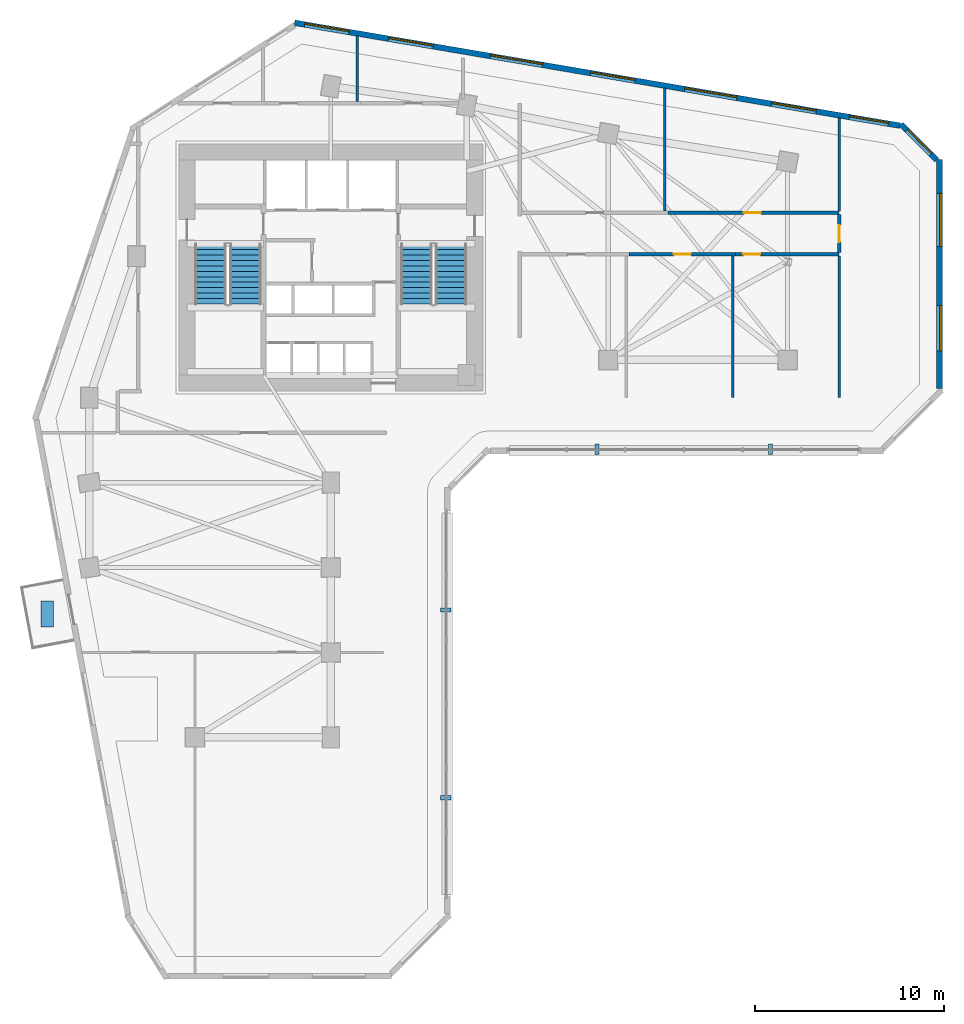
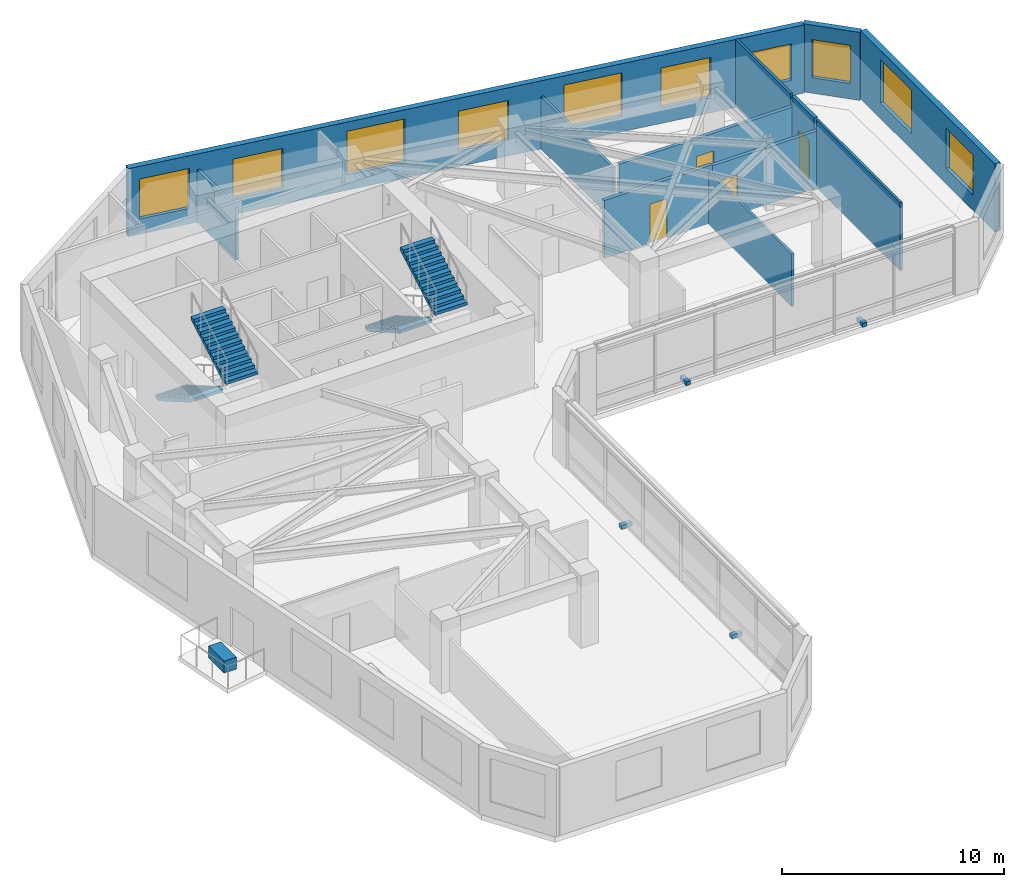
# One storey, part 7 of 9: 12 walls, 10 windows, 5 discrete accessories, 4 doors, 4 stair flights, 14 openings, 2 elements without a shape of their own.
"""IFC4 building model written with IfcOpenShell, lengths in metres."""

from ifc_helpers import new_model, si_unit, direction, frame, frame_2d, origin, origin_2d, place, context, subcontext, project, spatial, polyline, rectangle, outline, extrude, source, transform, mapped, material, layer, layer_set, type_object, element, fill, aggregate, save


model = new_model("IFC4")

# Units and contexts
model_context = context("Model", 3, precision=1e-05, world=origin(), true_north=direction((0.0, 1.0)))
body_context = subcontext(model_context, "Body", "Model", "MODEL_VIEW")
ifc_project = project(units=[si_unit("LENGTHUNIT", "METRE"), si_unit("AREAUNIT", "SQUARE_METRE"), si_unit("VOLUMEUNIT", "CUBIC_METRE"), si_unit("PLANEANGLEUNIT", "RADIAN"), si_unit("MASSUNIT", "GRAM", prefix="KILO")], contexts=[model_context])

# Site, building, storey
site_placement = place(None, origin())
site = spatial("IfcSite", under=ifc_project, at=site_placement, CompositionType="ELEMENT")
building_placement = place(site_placement, origin())
building = spatial("IfcBuilding", under=site, at=building_placement, Name="Calvemar Wedge Station Tower", CompositionType="ELEMENT")
storey_placement = place(building_placement, frame((0.0, 0.0, 63.0)))
storey = spatial("IfcBuildingStorey", under=building, at=storey_placement, Name="L15", CompositionType="ELEMENT", Elevation=63.0)

# Wall, opening, door
ifc_material_1 = material(Name="Double-stud fire-rated corridor partition")
ifc_layer_1 = layer(ifc_material_1, 0.179931640625)
ifc_layer_set_1 = layer_set([ifc_layer_1], Name="Double-stud fire-rated corridor partition")
wall_type_1 = type_object("IfcWallType", Name="W-CORR-180", PredefinedType="PARTITIONING", material=ifc_layer_set_1)
wall_1_placement = place(storey_placement, frame((45.25, 40.60009765625, 0.0), z_axis=(0.0, 0.0, 1.0), x_axis=(-1.0, 0.0, 0.0)))
wall_1 = element("IfcWall", 1, at=wall_1_placement, inside=storey, type_object=wall_type_1, Name="Storey L15 Interior Partition WL-L15-019", PredefinedType="PARTITIONING", context=body_context, shape_type="SweptSolid", body=[
    extrude(rectangle(XDim=5.64306640625, YDim=0.179931640625, at=frame_2d((2.821533203125, 0.0))), origin(), (0.0, 0.0, 1.0), 3.18798828125),
])
shared_shape_1 = source(origin(), body_context, "Body", "SweptSolid", [
    extrude(rectangle(XDim=0.89990234375, YDim=2.14990234375, at=frame_2d((0.449951171875, 1.074951171875))), frame((0.0, 0.10009765625, 0.0), z_axis=(0.0, -1.0, 0.0), x_axis=(1.0, 0.0, 0.0)), (0.0, 0.0, 1.0), 0.199951171875),
])
opening_1_placement = place(wall_1_placement, frame((2.37158203125, 0.0, 0.0)))
opening_1 = element("IfcOpeningElement", 2, at=opening_1_placement, cuts=wall_1, Name="Opening D-01", PredefinedType="OPENING", context=body_context, shape_type="MappedRepresentation", body=[
    mapped(shared_shape_1, transform((0.0, 0.0, 0.0), scale=1.0)),
])
ifc_material_2 = material(Name="Architectural hardwood acoustic swing door", Category="wood")
door_type = type_object("IfcDoorType", Name="DR-INT-900", OperationType="NOTDEFINED", PredefinedType="DOOR", material=ifc_material_2)
shared_shape_2 = source(origin(), body_context, "Body", "SweptSolid", [
    extrude(rectangle(XDim=0.89990234375, YDim=2.14990234375, at=frame_2d((0.449951171875, 1.074951171875))), frame((0.0, 0.02490234375, 0.0), z_axis=(0.0, -1.0, 0.0), x_axis=(1.0, 0.0, 0.0)), (0.0, 0.0, 1.0), 0.050048828125),
])
door_1_placement = place(opening_1_placement, origin())
door_1 = element("IfcDoor", 3, at=door_1_placement, inside=storey, type_object=door_type, Name="L15 Co-Working Studio Door", OperationType="SINGLE_SWING_LEFT", OverallHeight=2.14990234375, OverallWidth=0.89990234375, PredefinedType="DOOR", context=body_context, shape_type="MappedRepresentation", body=[
    mapped(shared_shape_2, transform((0.0, 0.0, 0.0), scale=1.0)),
])
fill(opening_1, door_1)

wall_2_placement = place(storey_placement, frame((50.735107421875, 40.60009765625, 0.0), z_axis=(0.0, 0.0, 1.0), x_axis=(-1.0, 0.0, 0.0)))
wall_2 = element("IfcWall", 4, at=wall_2_placement, inside=storey, type_object=wall_type_1, Name="Storey L15 Interior Partition WL-L15-020", PredefinedType="PARTITIONING", context=body_context, shape_type="SweptSolid", body=[
    extrude(rectangle(XDim=5.483154296875, YDim=0.179931640625, at=frame_2d((2.74169921875, 0.0))), origin(), (0.0, 0.0, 1.0), 3.125),
])
opening_2_placement = place(wall_2_placement, frame((4.18115234375, 0.0, 0.0)))
opening_2 = element("IfcOpeningElement", 5, at=opening_2_placement, cuts=wall_2, Name="Opening D-01", PredefinedType="OPENING", context=body_context, shape_type="MappedRepresentation", body=[
    mapped(shared_shape_1, transform((0.0, 0.0, 0.0), scale=1.0)),
])
door_2_placement = place(opening_2_placement, origin())
door_2 = element("IfcDoor", 6, at=door_2_placement, inside=storey, type_object=door_type, Name="L15 Meeting Room Door", OperationType="SINGLE_SWING_RIGHT", OverallHeight=2.14990234375, OverallWidth=0.89990234375, PredefinedType="DOOR", context=body_context, shape_type="MappedRepresentation", body=[
    mapped(shared_shape_2, transform((0.0, 0.0, 0.0), scale=1.0)),
])
fill(opening_2, door_2)

wall_3_placement = place(storey_placement, frame((41.662109375, 42.800048828125, 0.0), z_axis=(0.0, 0.0, 1.0), x_axis=(1.0, 0.0, 0.0)))
wall_3 = element("IfcWall", 7, at=wall_3_placement, inside=storey, type_object=wall_type_1, Name="Storey L15 Interior Partition WL-L15-022", PredefinedType="PARTITIONING", context=body_context, shape_type="SweptSolid", body=[
    extrude(rectangle(XDim=9.072998046875, YDim=0.179931640625, at=frame_2d((4.53662109375, 0.0))), origin(), (0.0, 0.0, 1.0), 3.125),
])
opening_3_placement = place(wall_3_placement, frame((4.026123046875, 0.0, 0.0)))
opening_3 = element("IfcOpeningElement", 8, at=opening_3_placement, cuts=wall_3, Name="Opening D-01", PredefinedType="OPENING", context=body_context, shape_type="MappedRepresentation", body=[
    mapped(shared_shape_1, transform((0.0, 0.0, 0.0), scale=1.0)),
])
door_3_placement = place(opening_3_placement, origin())
door_3 = element("IfcDoor", 9, at=door_3_placement, inside=storey, type_object=door_type, Name="L15 Co-Working Studio Door", OperationType="SINGLE_SWING_RIGHT", OverallHeight=2.14990234375, OverallWidth=0.89990234375, PredefinedType="DOOR", context=body_context, shape_type="MappedRepresentation", body=[
    mapped(shared_shape_2, transform((0.0, 0.0, 0.0), scale=1.0)),
])
fill(opening_3, door_3)

wall_4_placement = place(storey_placement, frame((50.735107421875, 42.7060546875, 0.0), z_axis=(0.0, 0.0, 1.0), x_axis=(0.0, -1.0, 0.0)))
wall_4 = element("IfcWall", 10, at=wall_4_placement, inside=storey, type_object=wall_type_1, Name="Storey L15 Interior Partition WL-L15-023", PredefinedType="PARTITIONING", context=body_context, shape_type="SweptSolid", body=[
    extrude(rectangle(XDim=2.011962890625, YDim=0.179931640625, at=frame_2d((1.005859375, 0.0))), origin(), (0.0, 0.0, 1.0), 3.75),
])
opening_4_placement = place(wall_4_placement, frame((0.555908203125, 0.0, 0.0)))
opening_4 = element("IfcOpeningElement", 11, at=opening_4_placement, cuts=wall_4, Name="Opening D-01", PredefinedType="OPENING", context=body_context, shape_type="MappedRepresentation", body=[
    mapped(shared_shape_1, transform((0.0, 0.0, 0.0), scale=1.0)),
])
door_4_placement = place(opening_4_placement, origin())
door_4 = element("IfcDoor", 12, at=door_4_placement, inside=storey, type_object=door_type, Name="L15 Conference Hall Door", OperationType="SINGLE_SWING_LEFT", OverallHeight=2.14990234375, OverallWidth=0.89990234375, PredefinedType="DOOR", context=body_context, shape_type="MappedRepresentation", body=[
    mapped(shared_shape_2, transform((0.0, 0.0, 0.0), scale=1.0)),
])
fill(opening_4, door_4)

# Wall, openings, windows
ifc_material_3 = material(Name="Precast concrete C45", Category="concrete")
ifc_layer_2 = layer(ifc_material_3, 0.300048828125)
ifc_layer_set_2 = layer_set([ifc_layer_2], Name="Precast concrete C45")
wall_type_2 = type_object("IfcWallType", Name="W-EXT-GFRC-300", PredefinedType="SOLIDWALL", material=ifc_layer_set_2)
wall_5_placement = place(storey_placement, frame((56.050048828125, 33.4853515625, 0.0), z_axis=(0.0, 0.0, 1.0), x_axis=(0.0, 1.0, 0.0)))
wall_5 = element("IfcWall", 13, at=wall_5_placement, inside=storey, type_object=wall_type_2, Name="Storey L15 Bronze GFRC Exterior Wall 8", PredefinedType="SOLIDWALL", context=body_context, shape_type="SweptSolid", body=[
    extrude(rectangle(XDim=12.130615234375, YDim=0.300048828125, at=frame_2d((6.0654296875, 0.0))), origin(), (0.0, 0.0, 1.0), 3.75),
])
shared_shape_3 = source(origin(), body_context, "Body", "SweptSolid", [
    extrude(rectangle(XDim=2.39990234375, YDim=2.199951171875, at=frame_2d((1.199951171875, 1.10009765625))), frame((0.0, 0.16015625, 0.0), z_axis=(0.0, -1.0, 0.0), x_axis=(1.0, 0.0, 0.0)), (0.0, 0.0, 1.0), 0.320068359375),
])
opening_5_placement = place(wall_5_placement, frame((1.992919921875, 0.0, 0.85009765625)))
opening_5 = element("IfcOpeningElement", 14, at=opening_5_placement, cuts=wall_5, Name="Opening W1", PredefinedType="OPENING", context=body_context, shape_type="MappedRepresentation", body=[
    mapped(shared_shape_3, transform((0.0, 0.0, 0.0), scale=1.0)),
])
shared_shape_4 = source(origin(), body_context, "Body", "SweptSolid", [
    extrude(rectangle(XDim=2.800048828125, YDim=2.39990234375, at=frame_2d((1.39990234375, 1.199951171875))), frame((0.0, 0.16015625, 0.0), z_axis=(0.0, -1.0, 0.0), x_axis=(1.0, 0.0, 0.0)), (0.0, 0.0, 1.0), 0.320068359375),
])
opening_6_placement = place(wall_5_placement, frame((7.5380859375, 0.0, 0.85009765625)))
opening_6 = element("IfcOpeningElement", 15, at=opening_6_placement, cuts=wall_5, Name="Opening W6", PredefinedType="OPENING", context=body_context, shape_type="MappedRepresentation", body=[
    mapped(shared_shape_4, transform((0.0, 0.0, 0.0), scale=1.0)),
])
ifc_material_4 = material(Name="Low-E laminated insulated glass", Category="glass")
window_type_1 = type_object("IfcWindowType", Name="WIN-EXT-6", PartitioningType="SINGLE_PANEL", PredefinedType="WINDOW", material=ifc_material_4)
shared_shape_5 = source(origin(), body_context, "Body", "SweptSolid", [
    extrude(rectangle(XDim=2.800048828125, YDim=2.39990234375, at=frame_2d((1.39990234375, 1.199951171875))), frame((0.0, -0.014892578125, 0.0), z_axis=(0.0, -1.0, 0.0), x_axis=(1.0, 0.0, 0.0)), (0.0, 0.0, 1.0), 0.06005859375),
])
window_1_placement = place(opening_6_placement, origin())
window_1 = element("IfcWindow", 16, at=window_1_placement, inside=storey, type_object=window_type_1, Name="Storey L15 Recessed Window 8.2", OverallHeight=2.39990234375, OverallWidth=2.800048828125, PartitioningType="SINGLE_PANEL", PredefinedType="WINDOW", context=body_context, shape_type="MappedRepresentation", body=[
    mapped(shared_shape_5, transform((0.0, 0.0, 0.0), scale=1.0)),
])
fill(opening_6, window_1)
window_type_2 = type_object("IfcWindowType", Name="WIN-EXT-1", PartitioningType="SINGLE_PANEL", PredefinedType="WINDOW", material=ifc_material_4)
shared_shape_6 = source(origin(), body_context, "Body", "SweptSolid", [
    extrude(rectangle(XDim=2.39990234375, YDim=2.199951171875, at=frame_2d((1.199951171875, 1.10009765625))), frame((0.0, -0.014892578125, 0.0), z_axis=(0.0, -1.0, 0.0), x_axis=(1.0, 0.0, 0.0)), (0.0, 0.0, 1.0), 0.06005859375),
])
window_2_placement = place(opening_5_placement, origin())
window_2 = element("IfcWindow", 17, at=window_2_placement, inside=storey, type_object=window_type_2, Name="Storey L15 Recessed Window 8.1", OverallHeight=2.199951171875, OverallWidth=2.39990234375, PartitioningType="SINGLE_PANEL", PredefinedType="WINDOW", context=body_context, shape_type="MappedRepresentation", body=[
    mapped(shared_shape_6, transform((0.0, 0.0, 0.0), scale=1.0)),
])
fill(opening_5, window_2)

# Wall, opening, window
wall_6_placement = place(storey_placement, frame((55.912109375, 45.60400390625, 0.0), z_axis=(0.0, 0.0, 1.0), x_axis=(-0.707152443695, 0.707061115729, 0.0)))
wall_6 = element("IfcWall", 18, at=wall_6_placement, inside=storey, type_object=wall_type_2, Name="Storey L15 Bronze GFRC Exterior Wall 9", PredefinedType="SOLIDWALL", context=body_context, shape_type="SweptSolid", body=[
    extrude(rectangle(XDim=2.67333984375, YDim=0.300048828125, at=frame_2d((1.336669921875, 0.0))), origin(), (0.0, 0.0, 1.0), 3.75),
])
shared_shape_7 = source(origin(), body_context, "Body", "SweptSolid", [
    extrude(rectangle(XDim=1.800048828125, YDim=2.10009765625, at=frame_2d((0.89990234375, 1.050048828125))), frame((0.0, 0.16015625, 0.0), z_axis=(0.0, -1.0, 0.0), x_axis=(1.0, 0.0, 0.0)), (0.0, 0.0, 1.0), 0.320068359375),
])
opening_7_placement = place(wall_6_placement, frame((0.43701171875, 0.0, 0.85009765625)))
opening_7 = element("IfcOpeningElement", 19, at=opening_7_placement, cuts=wall_6, Name="Opening W2", PredefinedType="OPENING", context=body_context, shape_type="MappedRepresentation", body=[
    mapped(shared_shape_7, transform((0.0, 0.0, 0.0), scale=1.0)),
])
window_type_3 = type_object("IfcWindowType", Name="WIN-EXT-2", PartitioningType="SINGLE_PANEL", PredefinedType="WINDOW", material=ifc_material_4)
shared_shape_8 = source(origin(), body_context, "Body", "SweptSolid", [
    extrude(rectangle(XDim=1.800048828125, YDim=2.10009765625, at=frame_2d((0.89990234375, 1.050048828125))), frame((0.0, -0.014892578125, 0.0), z_axis=(0.0, -1.0, 0.0), x_axis=(1.0, 0.0, 0.0)), (0.0, 0.0, 1.0), 0.06005859375),
])
window_3_placement = place(opening_7_placement, origin())
window_3 = element("IfcWindow", 20, at=window_3_placement, inside=storey, type_object=window_type_3, Name="Storey L15 Recessed Window 9.1", OverallHeight=2.10009765625, OverallWidth=1.800048828125, PartitioningType="SINGLE_PANEL", PredefinedType="WINDOW", context=body_context, shape_type="MappedRepresentation", body=[
    mapped(shared_shape_8, transform((0.0, 0.0, 0.0), scale=1.0)),
])
fill(opening_7, window_3)

# Wall, openings, windows
wall_7_placement = place(storey_placement, frame((53.9609375, 47.41650390625, 0.0), z_axis=(0.0, 0.0, 1.0), x_axis=(-0.985865713455, 0.167537443678, 0.0)))
wall_7 = element("IfcWall", 21, at=wall_7_placement, inside=storey, type_object=wall_type_2, Name="Storey L15 Bronze GFRC Exterior Wall 10", PredefinedType="SOLIDWALL", context=body_context, shape_type="SweptSolid", body=[
    extrude(rectangle(XDim=32.537109375, YDim=0.300048828125, at=frame_2d((16.2685546875, 0.0))), origin(), (0.0, 0.0, 1.0), 3.75),
])
shared_shape_9 = source(origin(), body_context, "Body", "SweptSolid", [
    extrude(rectangle(XDim=2.10009765625, YDim=2.0, at=frame_2d((1.050048828125, 1.0))), frame((0.0, 0.16015625, 0.0), z_axis=(0.0, -1.0, 0.0), x_axis=(1.0, 0.0, 0.0)), (0.0, 0.0, 1.0), 0.320068359375),
])
opening_8_placement = place(wall_7_placement, frame((0.6259765625, 0.0, 0.85009765625)))
opening_8 = element("IfcOpeningElement", 22, at=opening_8_placement, cuts=wall_7, Name="Opening W4", PredefinedType="OPENING", context=body_context, shape_type="MappedRepresentation", body=[
    mapped(shared_shape_9, transform((0.0, 0.0, 0.0), scale=1.0)),
])
opening_9_placement = place(wall_7_placement, frame((4.50390625, 0.0, 0.85009765625)))
opening_9 = element("IfcOpeningElement", 23, at=opening_9_placement, cuts=wall_7, Name="Opening W1", PredefinedType="OPENING", context=body_context, shape_type="MappedRepresentation", body=[
    mapped(shared_shape_3, transform((0.0, 0.0, 0.0), scale=1.0)),
])
opening_10_placement = place(wall_7_placement, frame((8.76806640625, 0.0, 0.85009765625)))
opening_10 = element("IfcOpeningElement", 24, at=opening_10_placement, cuts=wall_7, Name="Opening W6", PredefinedType="OPENING", context=body_context, shape_type="MappedRepresentation", body=[
    mapped(shared_shape_4, transform((0.0, 0.0, 0.0), scale=1.0)),
])
opening_11_placement = place(wall_7_placement, frame((14.23388671875, 0.0, 0.85009765625)))
opening_11 = element("IfcOpeningElement", 25, at=opening_11_placement, cuts=wall_7, Name="Opening W1", PredefinedType="OPENING", context=body_context, shape_type="MappedRepresentation", body=[
    mapped(shared_shape_3, transform((0.0, 0.0, 0.0), scale=1.0)),
])
opening_12_placement = place(wall_7_placement, frame((19.221923828125, 0.0, 0.85009765625)))
opening_12 = element("IfcOpeningElement", 26, at=opening_12_placement, cuts=wall_7, Name="Opening W6", PredefinedType="OPENING", context=body_context, shape_type="MappedRepresentation", body=[
    mapped(shared_shape_4, transform((0.0, 0.0, 0.0), scale=1.0)),
])
opening_13_placement = place(wall_7_placement, frame((25.094970703125, 0.0, 0.85009765625)))
opening_13 = element("IfcOpeningElement", 27, at=opening_13_placement, cuts=wall_7, Name="Opening W1", PredefinedType="OPENING", context=body_context, shape_type="MappedRepresentation", body=[
    mapped(shared_shape_3, transform((0.0, 0.0, 0.0), scale=1.0)),
])
opening_14_placement = place(wall_7_placement, frame((29.594970703125, 0.0, 0.85009765625)))
opening_14 = element("IfcOpeningElement", 28, at=opening_14_placement, cuts=wall_7, Name="Opening W1", PredefinedType="OPENING", context=body_context, shape_type="MappedRepresentation", body=[
    mapped(shared_shape_3, transform((0.0, 0.0, 0.0), scale=1.0)),
])
window_type_4 = type_object("IfcWindowType", Name="WIN-EXT-4", PartitioningType="SINGLE_PANEL", PredefinedType="WINDOW", material=ifc_material_4)
shared_shape_10 = source(origin(), body_context, "Body", "SweptSolid", [
    extrude(rectangle(XDim=2.10009765625, YDim=2.0, at=frame_2d((1.050048828125, 1.0))), frame((0.0, -0.014892578125, 0.0), z_axis=(0.0, -1.0, 0.0), x_axis=(1.0, 0.0, 0.0)), (0.0, 0.0, 1.0), 0.06005859375),
])
window_4_placement = place(opening_8_placement, origin())
window_4 = element("IfcWindow", 29, at=window_4_placement, inside=storey, type_object=window_type_4, Name="Storey L15 Recessed Window 10.1", OverallHeight=2.0, OverallWidth=2.10009765625, PartitioningType="SINGLE_PANEL", PredefinedType="WINDOW", context=body_context, shape_type="MappedRepresentation", body=[
    mapped(shared_shape_10, transform((0.0, 0.0, 0.0), scale=1.0)),
])
fill(opening_8, window_4)
window_5_placement = place(opening_10_placement, origin())
window_5 = element("IfcWindow", 30, at=window_5_placement, inside=storey, type_object=window_type_1, Name="Storey L15 Recessed Window 10.3", OverallHeight=2.39990234375, OverallWidth=2.800048828125, PartitioningType="SINGLE_PANEL", PredefinedType="WINDOW", context=body_context, shape_type="MappedRepresentation", body=[
    mapped(shared_shape_5, transform((0.0, 0.0, 0.0), scale=1.0)),
])
fill(opening_10, window_5)
window_6_placement = place(opening_12_placement, origin())
window_6 = element("IfcWindow", 31, at=window_6_placement, inside=storey, type_object=window_type_1, Name="Storey L15 Recessed Window 10.5", OverallHeight=2.39990234375, OverallWidth=2.800048828125, PartitioningType="SINGLE_PANEL", PredefinedType="WINDOW", context=body_context, shape_type="MappedRepresentation", body=[
    mapped(shared_shape_5, transform((0.0, 0.0, 0.0), scale=1.0)),
])
fill(opening_12, window_6)
window_7_placement = place(opening_9_placement, origin())
window_7 = element("IfcWindow", 32, at=window_7_placement, inside=storey, type_object=window_type_2, Name="Storey L15 Recessed Window 10.2", OverallHeight=2.199951171875, OverallWidth=2.39990234375, PartitioningType="SINGLE_PANEL", PredefinedType="WINDOW", context=body_context, shape_type="MappedRepresentation", body=[
    mapped(shared_shape_6, transform((0.0, 0.0, 0.0), scale=1.0)),
])
fill(opening_9, window_7)
window_8_placement = place(opening_11_placement, origin())
window_8 = element("IfcWindow", 33, at=window_8_placement, inside=storey, type_object=window_type_2, Name="Storey L15 Recessed Window 10.4", OverallHeight=2.199951171875, OverallWidth=2.39990234375, PartitioningType="SINGLE_PANEL", PredefinedType="WINDOW", context=body_context, shape_type="MappedRepresentation", body=[
    mapped(shared_shape_6, transform((0.0, 0.0, 0.0), scale=1.0)),
])
fill(opening_11, window_8)
window_9_placement = place(opening_13_placement, origin())
window_9 = element("IfcWindow", 34, at=window_9_placement, inside=storey, type_object=window_type_2, Name="Storey L15 Recessed Window 10.6", OverallHeight=2.199951171875, OverallWidth=2.39990234375, PartitioningType="SINGLE_PANEL", PredefinedType="WINDOW", context=body_context, shape_type="MappedRepresentation", body=[
    mapped(shared_shape_6, transform((0.0, 0.0, 0.0), scale=1.0)),
])
fill(opening_13, window_9)
window_10_placement = place(opening_14_placement, origin())
window_10 = element("IfcWindow", 35, at=window_10_placement, inside=storey, type_object=window_type_2, Name="Storey L15 Recessed Window 10.7", OverallHeight=2.199951171875, OverallWidth=2.39990234375, PartitioningType="SINGLE_PANEL", PredefinedType="WINDOW", context=body_context, shape_type="MappedRepresentation", body=[
    mapped(shared_shape_6, transform((0.0, 0.0, 0.0), scale=1.0)),
])
fill(opening_14, window_10)

# Walls
ifc_material_5 = material(Name="Insulated acoustic gypsum stud partition")
ifc_layer_3 = layer(ifc_material_5, 0.125)
ifc_layer_set_3 = layer_set([ifc_layer_3], Name="Insulated acoustic gypsum stud partition")
wall_type_3 = type_object("IfcWallType", Name="W-PART-125", PredefinedType="PARTITIONING", material=ifc_layer_set_3)
wall_8_placement = place(storey_placement, frame((45.090087890625, 40.506103515625, 0.0), z_axis=(0.0, 0.0, 1.0), x_axis=(0.0, -1.0, 0.0)))
element("IfcWall", 36, at=wall_8_placement, inside=storey, type_object=wall_type_3, Name="Storey L15 Interior Partition WL-L15-025", PredefinedType="PARTITIONING", context=body_context, shape_type="SweptSolid", body=[
    extrude(rectangle(XDim=7.506103515625, YDim=0.125, at=frame_2d((3.7529296875, 0.0))), origin(), (0.0, 0.0, 1.0), 2.89208984375),
])
wall_9_placement = place(storey_placement, frame((50.735107421875, 40.506103515625, 0.0), z_axis=(0.0, 0.0, 1.0), x_axis=(0.0, -1.0, 0.0)))
element("IfcWall", 37, at=wall_9_placement, inside=storey, type_object=wall_type_3, Name="Storey L15 Interior Partition WL-L15-026", PredefinedType="PARTITIONING", context=body_context, shape_type="SweptSolid", body=[
    extrude(rectangle(XDim=7.506103515625, YDim=0.125, at=frame_2d((3.7529296875, 0.0))), origin(), (0.0, 0.0, 1.0), 3.75),
])
wall_10_placement = place(storey_placement, frame((41.5, 49.41748046875, 0.0), z_axis=(0.0, 0.0, 1.0), x_axis=(0.0, -1.0, 0.0)))
element("IfcWall", 38, at=wall_10_placement, inside=storey, type_object=wall_type_3, Name="Storey L15 Interior Partition WL-L15-027", PredefinedType="PARTITIONING", context=body_context, shape_type="SweptSolid", body=[
    extrude(rectangle(XDim=6.5234375, YDim=0.125, at=frame_2d((3.26171875, 0.0))), origin(), (0.0, 0.0, 1.0), 2.89208984375),
])
wall_11_placement = place(storey_placement, frame((50.735107421875, 47.847900390625, 0.0), z_axis=(0.0, 0.0, 1.0), x_axis=(0.0, -1.0, 0.0)))
element("IfcWall", 39, at=wall_11_placement, inside=storey, type_object=wall_type_3, Name="Storey L15 Interior Partition WL-L15-028", PredefinedType="PARTITIONING", context=body_context, shape_type="SweptSolid", body=[
    extrude(rectangle(XDim=4.953857421875, YDim=0.125, at=frame_2d((2.47705078125, 0.0))), origin(), (0.0, 0.0, 1.0), 3.75),
])
ifc_material_6 = material(Name="Moisture-resistant acoustic bathroom partition")
ifc_layer_4 = layer(ifc_material_6, 0.14990234375)
ifc_layer_set_4 = layer_set([ifc_layer_4], Name="Moisture-resistant acoustic bathroom partition")
wall_type_4 = type_object("IfcWallType", Name="W-WET-150", PredefinedType="PARTITIONING", material=ifc_layer_set_4)
wall_12_placement = place(storey_placement, frame((25.199951171875, 52.1875, 0.0), z_axis=(0.0, 0.0, 1.0), x_axis=(0.0, -1.0, 0.0)))
element("IfcWall", 40, at=wall_12_placement, inside=storey, type_object=wall_type_4, Name="Storey L15 Interior Partition WL-L15-017", PredefinedType="PARTITIONING", context=body_context, shape_type="SweptSolid", body=[
    extrude(rectangle(XDim=3.493408203125, YDim=0.14990234375, at=frame_2d((1.74658203125, 0.0))), origin(), (0.0, 0.0, 1.0), 2.89208984375),
])

# Stair, stair flights
ifc_material_7 = material(Name="Concrete C45", Category="concrete")
stair_type = type_object("IfcStairType", Name="ST-TYPE-4000", PredefinedType="HALF_TURN_STAIR", material=ifc_material_7)
stair_1_placement = place(storey_placement, origin())
stair_1 = element("IfcStair", 41, at=stair_1_placement, inside=storey, type_object=stair_type, Name="L15 Pressurized Core Exit Stair ST-C1", PredefinedType="HALF_TURN_STAIR")
stair_flight_type = type_object("IfcStairFlightType", Name="STF-TYPE-4000", PredefinedType="STRAIGHT", material=ifc_material_7)
stair_flight_1_placement = place(storey_placement, frame((17.429931640625, 41.14990234375, 0.0), z_axis=(0.0, 0.0, 1.0), x_axis=(0.0, -1.0, 0.0)))
stair_flight_1 = element("IfcStairFlight", 42, at=stair_flight_1_placement, type_object=stair_flight_type, Name="ST-C1 flight 1", NumberOfRisers=12, NumberOfTreads=11, PredefinedType="STRAIGHT", RiserHeight=0.166666667, TreadLength=0.29, context=body_context, shape_type="SweptSolid", body=[
    extrude(outline(polyline([(0.0, 0.0), (0.0, 0.166748046875), (0.2900390625, 0.166748046875), (0.2900390625, 0.333251953125), (0.580078125, 0.333251953125), (0.580078125, 0.5), (0.8701171875, 0.5), (0.8701171875, 0.666748046875), (1.159912109375, 0.666748046875), (1.159912109375, 0.833251953125), (1.449951171875, 0.833251953125), (1.449951171875, 1.0), (1.739990234375, 1.0), (1.739990234375, 1.166748046875), (2.030029296875, 1.166748046875), (2.030029296875, 1.333251953125), (2.320068359375, 1.333251953125), (2.320068359375, 1.5), (2.610107421875, 1.5), (2.610107421875, 1.666748046875), (2.89990234375, 1.666748046875), (2.89990234375, 1.833251953125), (3.18994140625, 1.833251953125), (3.18994140625, 2.0), (3.18994140625, 1.660400390625), (0.30078125, 0.0), (0.0, 0.0)])), frame((0.0, 0.830078125, 0.0), z_axis=(0.0, -1.0, 0.0), x_axis=(1.0, 0.0, 0.0)), (0.0, 0.0, 1.0), 1.659912109375),
])
stair_flight_2_placement = place(storey_placement, frame((19.27001953125, 37.9599609375, 2.0), z_axis=(0.0, 0.0, 1.0), x_axis=(0.0, 1.0, 0.0)))
stair_flight_2 = element("IfcStairFlight", 43, at=stair_flight_2_placement, type_object=stair_flight_type, Name="ST-C1 flight 2", NumberOfRisers=12, NumberOfTreads=11, PredefinedType="STRAIGHT", RiserHeight=0.166666667, TreadLength=0.29, context=body_context, shape_type="SweptSolid", body=[
    extrude(outline(polyline([(0.0, 0.0), (0.0, 0.166748046875), (0.2900390625, 0.166748046875), (0.2900390625, 0.333251953125), (0.580078125, 0.333251953125), (0.580078125, 0.5), (0.8701171875, 0.5), (0.8701171875, 0.666748046875), (1.159912109375, 0.666748046875), (1.159912109375, 0.833251953125), (1.449951171875, 0.833251953125), (1.449951171875, 1.0), (1.739990234375, 1.0), (1.739990234375, 1.166748046875), (2.030029296875, 1.166748046875), (2.030029296875, 1.333251953125), (2.320068359375, 1.333251953125), (2.320068359375, 1.5), (2.610107421875, 1.5), (2.610107421875, 1.666748046875), (2.89990234375, 1.666748046875), (2.89990234375, 1.833251953125), (3.18994140625, 1.833251953125), (3.18994140625, 2.0), (3.18994140625, 1.660400390625), (0.30078125, 0.0), (0.0, 0.0)])), frame((0.0, 0.830078125, 0.0), z_axis=(0.0, -1.0, 0.0), x_axis=(1.0, 0.0, 0.0)), (0.0, 0.0, 1.0), 1.659912109375),
])
aggregate(stair_1, [stair_flight_1, stair_flight_2])

stair_2_placement = place(storey_placement, origin())
stair_2 = element("IfcStair", 44, at=stair_2_placement, inside=storey, type_object=stair_type, Name="L15 Pressurized Core Exit Stair ST-C2", PredefinedType="HALF_TURN_STAIR")
stair_flight_3_placement = place(storey_placement, frame((28.330078125, 41.14990234375, 0.0), z_axis=(0.0, 0.0, 1.0), x_axis=(0.0, -1.0, 0.0)))
stair_flight_3 = element("IfcStairFlight", 45, at=stair_flight_3_placement, type_object=stair_flight_type, Name="ST-C2 flight 1", NumberOfRisers=12, NumberOfTreads=11, PredefinedType="STRAIGHT", RiserHeight=0.166666667, TreadLength=0.29, context=body_context, shape_type="SweptSolid", body=[
    extrude(outline(polyline([(0.0, 0.0), (0.0, 0.166748046875), (0.2900390625, 0.166748046875), (0.2900390625, 0.333251953125), (0.580078125, 0.333251953125), (0.580078125, 0.5), (0.8701171875, 0.5), (0.8701171875, 0.666748046875), (1.159912109375, 0.666748046875), (1.159912109375, 0.833251953125), (1.449951171875, 0.833251953125), (1.449951171875, 1.0), (1.739990234375, 1.0), (1.739990234375, 1.166748046875), (2.030029296875, 1.166748046875), (2.030029296875, 1.333251953125), (2.320068359375, 1.333251953125), (2.320068359375, 1.5), (2.610107421875, 1.5), (2.610107421875, 1.666748046875), (2.89990234375, 1.666748046875), (2.89990234375, 1.833251953125), (3.18994140625, 1.833251953125), (3.18994140625, 2.0), (3.18994140625, 1.660400390625), (0.30078125, 0.0), (0.0, 0.0)])), frame((0.0, 0.830078125, 0.0), z_axis=(0.0, -1.0, 0.0), x_axis=(1.0, 0.0, 0.0)), (0.0, 0.0, 1.0), 1.659912109375),
])
stair_flight_4_placement = place(storey_placement, frame((30.169921875, 37.9599609375, 2.0), z_axis=(0.0, 0.0, 1.0), x_axis=(0.0, 1.0, 0.0)))
stair_flight_4 = element("IfcStairFlight", 46, at=stair_flight_4_placement, type_object=stair_flight_type, Name="ST-C2 flight 2", NumberOfRisers=12, NumberOfTreads=11, PredefinedType="STRAIGHT", RiserHeight=0.166666667, TreadLength=0.29, context=body_context, shape_type="SweptSolid", body=[
    extrude(outline(polyline([(0.0, 0.0), (0.0, 0.166748046875), (0.2900390625, 0.166748046875), (0.2900390625, 0.333251953125), (0.580078125, 0.333251953125), (0.580078125, 0.5), (0.8701171875, 0.5), (0.8701171875, 0.666748046875), (1.159912109375, 0.666748046875), (1.159912109375, 0.833251953125), (1.449951171875, 0.833251953125), (1.449951171875, 1.0), (1.739990234375, 1.0), (1.739990234375, 1.166748046875), (2.030029296875, 1.166748046875), (2.030029296875, 1.333251953125), (2.320068359375, 1.333251953125), (2.320068359375, 1.5), (2.610107421875, 1.5), (2.610107421875, 1.666748046875), (2.89990234375, 1.666748046875), (2.89990234375, 1.833251953125), (3.18994140625, 1.833251953125), (3.18994140625, 2.0), (3.18994140625, 1.660400390625), (0.30078125, 0.0), (0.0, 0.0)])), frame((0.0, 0.830078125, 0.0), z_axis=(0.0, -1.0, 0.0), x_axis=(1.0, 0.0, 0.0)), (0.0, 0.0, 1.0), 1.659912109375),
])
aggregate(stair_2, [stair_flight_3, stair_flight_4])

# Discrete accessories
ifc_material_8 = material(Name="Stainless steel AISI 316L", Category="steel")
discrete_accessory_type_1 = type_object("IfcDiscreteAccessoryType", Name="BRK-316L", PredefinedType="BRACKET", material=ifc_material_8)
shared_shape_11 = source(origin(), body_context, "Body", "SweptSolid", [
    extrude(rectangle(XDim=0.219970703125, YDim=0.56005859375, at=origin_2d()), origin(), (0.0, 0.0, 1.0), 0.219970703125),
])
for number, where, z_axis, x_axis, name in (
    (47, (29.89794921875, 11.798095703125, 0.0), (0.0, 0.0, 1.0), (0.0, 1.0, 0.0), "Storey L15 Recessed Facade Stainless Bracket 4.1"),
    (48, (29.89794921875, 21.75439453125, 0.0), (0.0, 0.0, 1.0), (0.0, 1.0, 0.0), "Storey L15 Recessed Facade Stainless Bracket 4.2"),
    (49, (37.909912109375, 30.258056640625, 0.0), (0.0, 0.0, 1.0), (1.0, 0.0, 0.0), "Storey L15 Recessed Facade Stainless Bracket 6.1"),
    (50, (47.09375, 30.258056640625, 0.0), (0.0, 0.0, 1.0), (1.0, 0.0, 0.0), "Storey L15 Recessed Facade Stainless Bracket 6.2"),
):
    element("IfcDiscreteAccessory", number, at=place(storey_placement, frame(where, z_axis=z_axis, x_axis=x_axis)), inside=storey, type_object=discrete_accessory_type_1, Name=name, PredefinedType="BRACKET", context=body_context, shape_type="MappedRepresentation", body=[
        mapped(shared_shape_11, transform((0.0, 0.0, 0.0), scale=1.0)),
    ])
discrete_accessory_type_2 = type_object("IfcDiscreteAccessoryType", Name="ACC-PLANTER", PredefinedType="USERDEFINED", material=ifc_material_3)
shared_shape_12 = source(origin(), body_context, "Body", "SweptSolid", [
    extrude(rectangle(XDim=0.64990234375, YDim=1.39990234375, at=origin_2d()), origin(), (0.0, 0.0, 1.0), 0.64990234375),
])
discrete_accessory_placement = place(storey_placement, frame((8.76806640625, 21.5400390625, 0.0), z_axis=(0.0, 0.0, 1.0), x_axis=(1.0, 0.0, 0.0)))
element("IfcDiscreteAccessory", 51, at=discrete_accessory_placement, inside=storey, type_object=discrete_accessory_type_2, Name="Storey L15 Planted Terrace GFRC Planter", ObjectType="PLANTER", PredefinedType="USERDEFINED", context=body_context, shape_type="MappedRepresentation", body=[
    mapped(shared_shape_12, transform((0.0, 0.0, 0.0), scale=1.0)),
])

save(model, "model.ifc")
